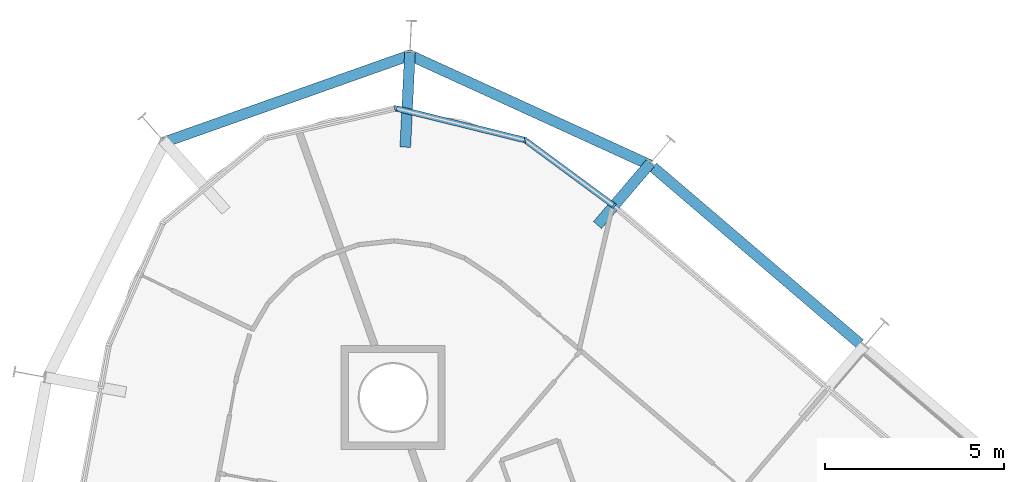
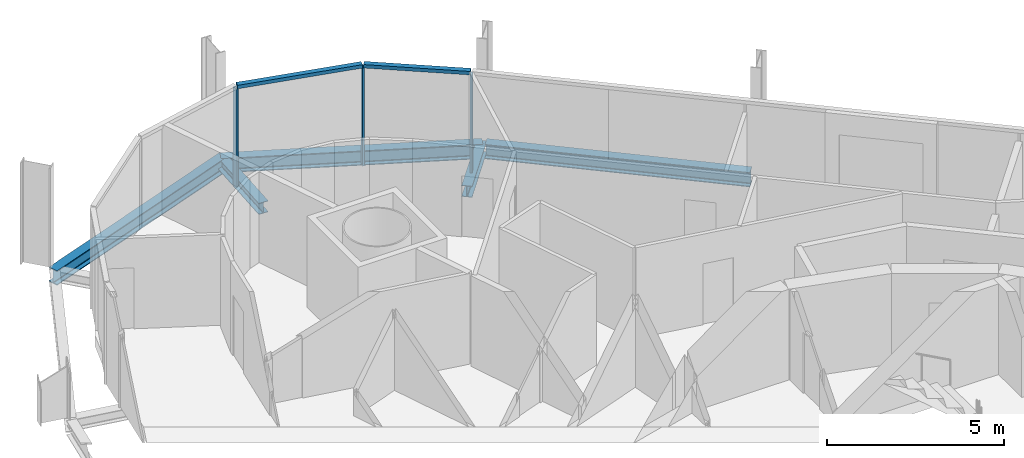
# One storey, part 7 of 17: 5 beams, 5 members, 1 element without a shape of its own.
"""IFC4 building model written with IfcOpenShell, lengths in metres."""

from ifc_helpers import new_model, si_unit, direction, frame, origin, origin_2d, place, context, subcontext, project, spatial, rectangle, i_section, extrude, material, layer, layer_set, material_profile, profile_set, type_object, element, aggregate, save


model = new_model("IFC4")

# Units and contexts
model_context = context("Model", 3, precision=1e-05, world=origin(), true_north=direction((0.0, 1.0)))
body_context = subcontext(model_context, "Body", "Model", "MODEL_VIEW")
ifc_project = project(units=[si_unit("LENGTHUNIT", "METRE"), si_unit("AREAUNIT", "SQUARE_METRE"), si_unit("VOLUMEUNIT", "CUBIC_METRE"), si_unit("PLANEANGLEUNIT", "RADIAN"), si_unit("MASSUNIT", "GRAM", prefix="KILO")], contexts=[model_context])

# Site, building, storey
site_placement = place(None, origin())
site = spatial("IfcSite", under=ifc_project, at=site_placement, CompositionType="ELEMENT")
building_placement = place(site_placement, origin())
building = spatial("IfcBuilding", under=site, at=building_placement, Name="Spindle Arch Residences", CompositionType="ELEMENT")
storey_placement = place(building_placement, frame((0.0, 0.0, 176.199951171875)))
storey = spatial("IfcBuildingStorey", under=building, at=storey_placement, Name="L44", CompositionType="ELEMENT", Elevation=176.199951171875)

# Curtain wall, members
ifc_material_1 = material(Name="Aluminium bronze unitised frame with tinted glass", Category="aluminium")
ifc_layer = layer(ifc_material_1, 0.159912109375)
ifc_layer_set = layer_set([ifc_layer], Name="CW-D corner wall on the fillet arcs")
curtain_wall_type = type_object("IfcCurtainWallType", Name="CW-D corner wall on the fillet arcs", PredefinedType="NOTDEFINED", material=ifc_layer_set)
curtain_wall_placement = place(storey_placement, origin())
curtain_wall = element("IfcCurtainWall", 1, at=curtain_wall_placement, inside=storey, type_object=curtain_wall_type, Name="CW-D L44 run 3", PredefinedType="NOTDEFINED")
ifc_material_2 = material(Name="Aluminium bronze anodised mullion", Category="aluminium")
ifc_material_profile_1 = material_profile(ifc_material_2, rectangle(XDim=0.159912109375, YDim=0.06005859375, at=origin_2d()), Name="MU 60x160")
ifc_profile_set_1 = profile_set([ifc_material_profile_1], Name="Aluminium bronze anodised mullion")
member_type_1 = type_object("IfcMemberType", Name="Bronze mullion 60x160", PredefinedType="MULLION", material=ifc_profile_set_1)
member_1_placement = place(storey_placement, frame((-0.86181640625, 25.213623046875, -0.3798828125), z_axis=(0.0, 0.0, 1.0), x_axis=(-0.594134492109, -0.804365716131, 0.0)))
member_1 = element("IfcMember", 2, at=member_1_placement, type_object=member_type_1, Name="CW-D mullion 00", PredefinedType="MULLION", context=body_context, shape_type="SweptSolid", body=[
    extrude(rectangle(XDim=0.159912109375, YDim=0.06005859375, at=origin_2d()), origin(), (0.0, 0.0, 1.0), 3.3798828125),
])
member_2_placement = place(storey_placement, frame((-3.3427734375, 27.046142578125, -0.3798828125), z_axis=(0.0, 0.0, 1.0), x_axis=(-0.239098401721, -0.970995342056, 0.0)))
member_2 = element("IfcMember", 3, at=member_2_placement, type_object=member_type_1, Name="CW-D mullion 01", PredefinedType="MULLION", context=body_context, shape_type="SweptSolid", body=[
    extrude(rectangle(XDim=0.159912109375, YDim=0.06005859375, at=origin_2d()), origin(), (0.0, 0.0, 1.0), 3.3798828125),
])
member_3_placement = place(storey_placement, frame((-6.96142578125, 27.937255859375, -0.3798828125), z_axis=(0.0, 0.0, 1.0), x_axis=(0.222115779633, -0.975020297449, 0.0)))
member_3 = element("IfcMember", 4, at=member_3_placement, type_object=member_type_1, Name="CW-D mullion 02", PredefinedType="MULLION", context=body_context, shape_type="SweptSolid", body=[
    extrude(rectangle(XDim=0.159912109375, YDim=0.06005859375, at=origin_2d()), origin(), (0.0, 0.0, 1.0), 3.3798828125),
])
ifc_material_3 = material(Name="Aluminium bronze anodised transom", Category="aluminium")
ifc_material_profile_2 = material_profile(ifc_material_3, rectangle(XDim=0.159912109375, YDim=0.1201171875, at=origin_2d()), Name="TR 120x160")
ifc_profile_set_2 = profile_set([ifc_material_profile_2], Name="Aluminium bronze anodised transom")
member_type_2 = type_object("IfcMemberType", Name="Bronze transom 120x160", PredefinedType="USERDEFINED", material=ifc_profile_set_2)
member_4_placement = place(storey_placement, frame((-0.8857421875, 25.2314453125, 3.06005859375), z_axis=(-0.804385788662, 0.594107316062, 0.0), x_axis=(-0.594107316062, -0.804385788662, 0.0)))
member_4 = element("IfcMember", 5, at=member_4_placement, type_object=member_type_2, Name="CW-D transom 00", ObjectType="TRANSOM", PredefinedType="USERDEFINED", context=body_context, shape_type="SweptSolid", body=[
    extrude(rectangle(XDim=0.159912109375, YDim=0.1201171875, at=origin_2d()), origin(), (0.0, 0.0, 1.0), 3.0244140625),
])
member_5_placement = place(storey_placement, frame((-3.371826171875, 27.053466796875, 3.06005859375), z_axis=(-0.970997997578, 0.239087617204, 0.0), x_axis=(-0.239087617204, -0.970997997578, 0.0)))
member_5 = element("IfcMember", 6, at=member_5_placement, type_object=member_type_2, Name="CW-D transom 01", ObjectType="TRANSOM", PredefinedType="USERDEFINED", context=body_context, shape_type="SweptSolid", body=[
    extrude(rectangle(XDim=0.159912109375, YDim=0.1201171875, at=origin_2d()), origin(), (0.0, 0.0, 1.0), 3.6669921875),
])
aggregate(curtain_wall, [member_1, member_4, member_2, member_5, member_3])

# Beams
ifc_material_4 = material(Name="Steel S460ML, intumescent coating R 120", Category="steel")
ifc_material_profile_3 = material_profile(ifc_material_4, i_section(OverallWidth=0.300048828125, OverallDepth=0.5, WebThickness=0.014404296875, FlangeThickness=0.028076171875, FilletRadius=0.027099609375, at=origin_2d()), Name="HEB 500")
ifc_profile_set_3 = profile_set([ifc_material_profile_3], Name="Steel S460ML, intumescent coating R 120")
beam_type_1 = type_object("IfcBeamType", Name="Exoskeleton edge beam HEB 500", PredefinedType="BEAM", material=ifc_profile_set_3)
beam_1_placement = place(storey_placement, frame((6.010009765625, 21.356689453125, -0.6298828125), z_axis=(-0.760418624565, 0.649433226294, 0.0), x_axis=(-0.649433226294, -0.760418624565, 0.0)))
element("IfcBeam", 7, at=beam_1_placement, inside=storey, type_object=beam_type_1, Name="Exoskeleton edge beam 9", PredefinedType="BEAM", context=body_context, shape_type="SweptSolid", body=[
    extrude(i_section(OverallWidth=0.300048828125, OverallDepth=0.5, WebThickness=0.014404296875, FlangeThickness=0.028076171875, FilletRadius=0.027099609375, at=origin_2d()), origin(), (0.0, 0.0, 1.0), 7.60009765625),
])
beam_2_placement = place(storey_placement, frame((0.151123046875, 26.34814453125, -0.6298828125), z_axis=(-0.909437531454, 0.415840566062, 0.0), x_axis=(-0.415840566062, -0.909437531454, 0.0)))
element("IfcBeam", 8, at=beam_2_placement, inside=storey, type_object=beam_type_1, Name="Exoskeleton edge beam 10", PredefinedType="BEAM", context=body_context, shape_type="SweptSolid", body=[
    extrude(i_section(OverallWidth=0.300048828125, OverallDepth=0.5, WebThickness=0.014404296875, FlangeThickness=0.028076171875, FilletRadius=0.027099609375, at=origin_2d()), origin(), (0.0, 0.0, 1.0), 7.42578125),
])
beam_3_placement = place(storey_placement, frame((-6.49853515625, 29.440185546875, -0.6298828125), z_axis=(-0.942642791069, -0.333803188189, 0.0), x_axis=(0.333803188189, -0.942642791069, 0.0)))
element("IfcBeam", 9, at=beam_3_placement, inside=storey, type_object=beam_type_1, Name="Exoskeleton edge beam 11", PredefinedType="BEAM", context=body_context, shape_type="SweptSolid", body=[
    extrude(i_section(OverallWidth=0.300048828125, OverallDepth=0.5, WebThickness=0.014404296875, FlangeThickness=0.028076171875, FilletRadius=0.027099609375, at=origin_2d()), origin(), (0.0, 0.0, 1.0), 7.403076171875),
])
ifc_material_5 = material(Name="Steel S460ML, intumescent coating R 120", Category="steel")
ifc_material_profile_4 = material_profile(ifc_material_5, i_section(OverallWidth=0.300048828125, OverallDepth=0.389892578125, WebThickness=0.010986328125, FlangeThickness=0.01904296875, FilletRadius=0.027099609375, at=origin_2d()), Name="HEA 400")
ifc_profile_set_4 = profile_set([ifc_material_profile_4], Name="Steel S460ML, intumescent coating R 120")
beam_type_2 = type_object("IfcBeamType", Name="Floor outrigger HEA 400", PredefinedType="BEAM", material=ifc_profile_set_4)
beam_4_placement = place(storey_placement, frame((0.157958984375, 26.407470703125, -0.574951171875), z_axis=(-0.649440691167, -0.76041224915, 0.0), x_axis=(0.76041224915, -0.649440691167, 0.0)))
element("IfcBeam", 10, at=beam_4_placement, inside=storey, type_object=beam_type_2, Name="Floor outrigger 10", PredefinedType="BEAM", context=body_context, shape_type="SweptSolid", body=[
    extrude(i_section(OverallWidth=0.300048828125, OverallDepth=0.389892578125, WebThickness=0.010986328125, FlangeThickness=0.01904296875, FilletRadius=0.027099609375, at=origin_2d()), origin(), (0.0, 0.0, 1.0), 2.279296875),
])
beam_5_placement = place(storey_placement, frame((-6.561279296875, 29.49609375, -0.574951171875), z_axis=(-0.048830159672, -0.998807096243, 0.0), x_axis=(0.998807096243, -0.048830159672, 0.0)))
element("IfcBeam", 11, at=beam_5_placement, inside=storey, type_object=beam_type_2, Name="Floor outrigger 11", PredefinedType="BEAM", context=body_context, shape_type="SweptSolid", body=[
    extrude(i_section(OverallWidth=0.300048828125, OverallDepth=0.389892578125, WebThickness=0.010986328125, FlangeThickness=0.01904296875, FilletRadius=0.027099609375, at=origin_2d()), origin(), (0.0, 0.0, 1.0), 2.64990234375),
])

save(model, "model.ifc")
